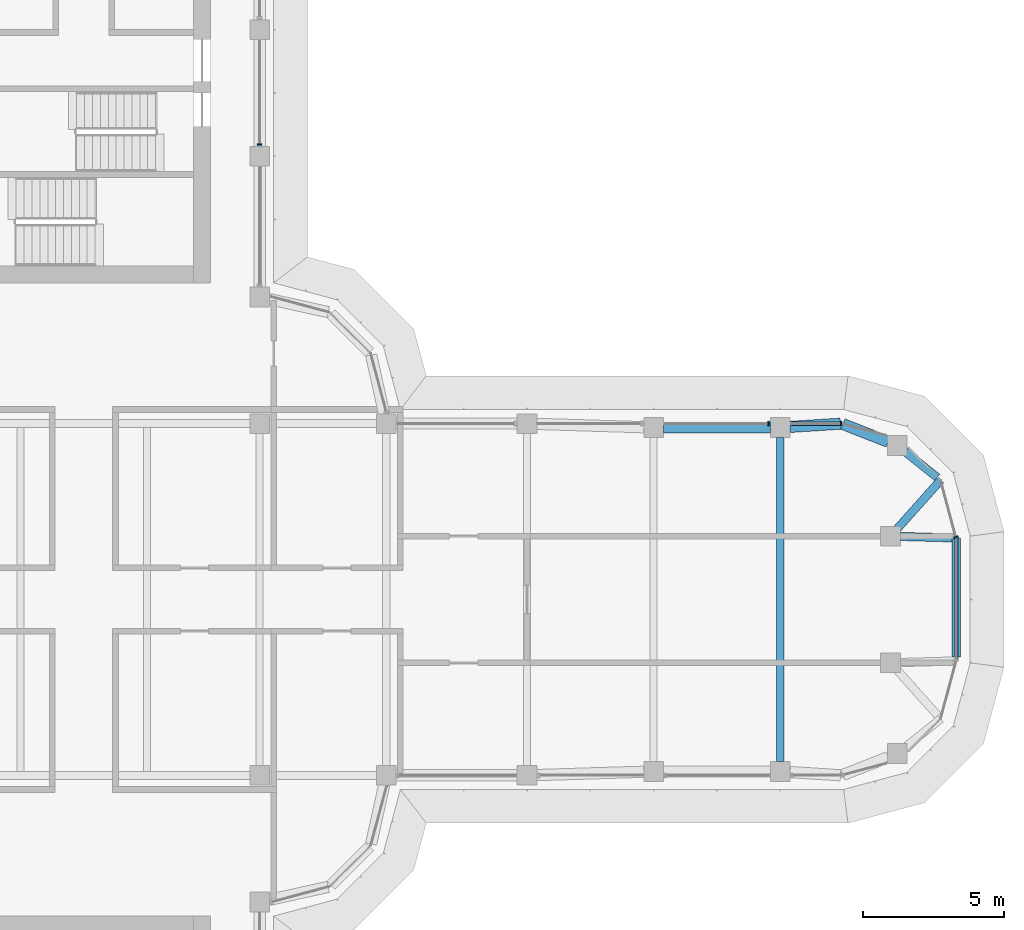
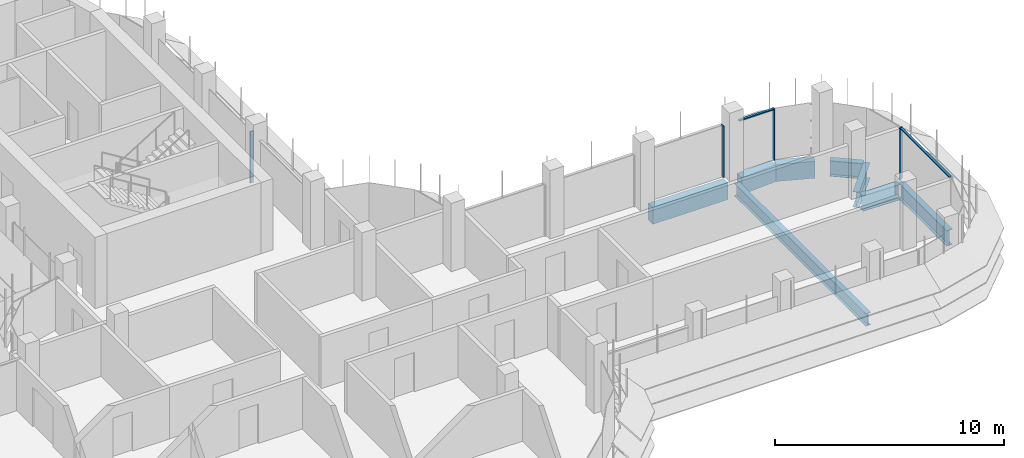
# One storey, part 9 of 19: 8 beams, 6 members, 4 elements without a shape of their own.
"""IFC4 building model written with IfcOpenShell, lengths in metres."""

from ifc_helpers import new_model, si_unit, direction, frame, origin, origin_2d, place, context, subcontext, project, spatial, polyline, rectangle, i_section, outline, extrude, source, transform, mapped, material, material_profile, profile_set, type_object, element, aggregate, save


model = new_model("IFC4")

# Units and contexts
model_context = context("Model", 3, precision=1e-05, world=origin(), true_north=direction((0.0, 1.0)))
body_context = subcontext(model_context, "Body", "Model", "MODEL_VIEW")
ifc_project = project(units=[si_unit("LENGTHUNIT", "METRE"), si_unit("AREAUNIT", "SQUARE_METRE"), si_unit("VOLUMEUNIT", "CUBIC_METRE"), si_unit("PLANEANGLEUNIT", "RADIAN"), si_unit("MASSUNIT", "GRAM", prefix="KILO")], contexts=[model_context])

# Site, building, storey
site_placement = place(None, origin())
site = spatial("IfcSite", under=ifc_project, at=site_placement, CompositionType="ELEMENT")
building_placement = place(site_placement, origin())
building = spatial("IfcBuilding", under=site, at=building_placement, Name="Zarbagh Exchange Tower", CompositionType="ELEMENT")
storey_placement = place(building_placement, frame((0.0, 0.0, 237.199951171875)))
storey = spatial("IfcBuildingStorey", under=building, at=storey_placement, Name="L58", CompositionType="ELEMENT", Elevation=237.199951171875)

# Beams
ifc_material_1 = material(Name="Steel ASTM A992 Gr 50", Category="steel")
ifc_material_profile_1 = material_profile(ifc_material_1, i_section(OverallWidth=0.25390625, OverallDepth=0.67822265625, WebThickness=0.01171875, FlangeThickness=0.016357421875, at=origin_2d()), Name="W27X84")
ifc_profile_set_1 = profile_set([ifc_material_profile_1], Name="Steel ASTM A992 Gr 50")
beam_type_1 = type_object("IfcBeamType", Name="Floor beam W27X84", PredefinedType="BEAM", material=ifc_profile_set_1)
beam_1_placement = place(storey_placement, frame((24.75, -5.760009765625, -0.489013671875), z_axis=(0.0, 1.0, 0.0), x_axis=(-1.0, 0.0, 0.0)))
element("IfcBeam", 1, at=beam_1_placement, inside=storey, type_object=beam_type_1, Name="Steel floor beam", PredefinedType="BEAM", context=body_context, shape_type="SweptSolid", body=[
    extrude(i_section(OverallWidth=0.25390625, OverallDepth=0.67822265625, WebThickness=0.01171875, FlangeThickness=0.016357421875, at=origin_2d()), origin(), (0.0, 0.0, 1.0), 11.52001953125),
])
ifc_material_profile_2 = material_profile(ifc_material_1, i_section(OverallWidth=0.2919921875, OverallDepth=0.835693359375, WebThickness=0.013916015625, FlangeThickness=0.018798828125, at=origin_2d()), Name="W33X118")
ifc_profile_set_2 = profile_set([ifc_material_profile_2], Name="Steel ASTM A992 Gr 50")
beam_type_2 = type_object("IfcBeamType", Name="Floor girder W33X118", PredefinedType="BEAM", material=ifc_profile_set_2)
beam_2_placement = place(storey_placement, frame((29.18115234375, 5.256103515625, -0.56787109375), z_axis=(0.780625690962, -0.624998824487, 0.0), x_axis=(0.624998824487, 0.780625690962, 0.0)))
element("IfcBeam", 2, at=beam_2_placement, inside=storey, type_object=beam_type_2, Name="Steel girder", PredefinedType="BEAM", context=body_context, shape_type="SweptSolid", body=[
    extrude(i_section(OverallWidth=0.2919921875, OverallDepth=0.835693359375, WebThickness=0.013916015625, FlangeThickness=0.018798828125, at=origin_2d()), origin(), (0.0, 0.0, 1.0), 1.469970703125),
])
beam_3_placement = place(storey_placement, frame((30.44873046875, 4.2412109375, -0.56787109375), z_axis=(-0.66615169279, -0.745816279115, 0.0), x_axis=(0.745816279115, -0.66615169279, 0.0)))
element("IfcBeam", 3, at=beam_3_placement, inside=storey, type_object=beam_type_2, Name="Steel girder", PredefinedType="BEAM", context=body_context, shape_type="SweptSolid", body=[
    extrude(i_section(OverallWidth=0.2919921875, OverallDepth=0.835693359375, WebThickness=0.013916015625, FlangeThickness=0.018798828125, at=origin_2d()), origin(), (0.0, 0.0, 1.0), 2.31982421875),
])
beam_4_placement = place(storey_placement, frame((29.02001953125, 2.239990234375, -0.56787109375), z_axis=(0.999603805015, -0.028146633904, 0.0), x_axis=(0.028146633904, 0.999603805015, 0.0)))
element("IfcBeam", 4, at=beam_4_placement, inside=storey, type_object=beam_type_2, Name="Steel girder", PredefinedType="BEAM", context=body_context, shape_type="SweptSolid", body=[
    extrude(i_section(OverallWidth=0.2919921875, OverallDepth=0.835693359375, WebThickness=0.013916015625, FlangeThickness=0.018798828125, at=origin_2d()), origin(), (0.0, 0.0, 1.0), 1.8388671875),
])
beam_5_placement = place(storey_placement, frame((31.0, 2.18408203125, -0.56787109375), z_axis=(0.0, -1.0, 0.0), x_axis=(1.0, 0.0, 0.0)))
element("IfcBeam", 5, at=beam_5_placement, inside=storey, type_object=beam_type_2, Name="Steel girder", PredefinedType="BEAM", context=body_context, shape_type="SweptSolid", body=[
    extrude(i_section(OverallWidth=0.2919921875, OverallDepth=0.835693359375, WebThickness=0.013916015625, FlangeThickness=0.018798828125, at=origin_2d()), origin(), (0.0, 0.0, 1.0), 4.226318359375),
])
ifc_material_2 = material(Name="Concrete C50/60", Category="concrete")
ifc_material_profile_3 = material_profile(ifc_material_2, rectangle(XDim=0.39990234375, YDim=0.89990234375, at=origin_2d()), Name="RC spandrel beam 400 x 900 C50/60")
ifc_profile_set_3 = profile_set([ifc_material_profile_3], Name="Concrete C50/60")
beam_type_3 = type_object("IfcBeamType", Name="RC spandrel beam 400 x 900 C50/60", PredefinedType="SPANDREL", material=ifc_profile_set_3)
beam_6_placement = place(storey_placement, frame((20.60009765625, 6.110107421875, -0.599853515625), z_axis=(1.0, 0.0, 0.0), x_axis=(0.0, 1.0, 0.0)))
element("IfcBeam", 6, at=beam_6_placement, inside=storey, type_object=beam_type_3, Name="RC spandrel beam", PredefinedType="SPANDREL", context=body_context, shape_type="SweptSolid", body=[
    extrude(rectangle(XDim=0.39990234375, YDim=0.89990234375, at=origin_2d()), origin(), (0.0, 0.0, 1.0), 3.7998046875),
])
beam_7_placement = place(storey_placement, frame((25.099365234375, 6.13232421875, -0.599853515625), z_axis=(0.997943601797, 0.064098109429, 0.0), x_axis=(-0.064098109429, 0.997943601797, 0.0)))
element("IfcBeam", 7, at=beam_7_placement, inside=storey, type_object=beam_type_3, Name="RC spandrel beam", PredefinedType="SPANDREL", context=body_context, shape_type="SweptSolid", body=[
    extrude(rectangle(XDim=0.39990234375, YDim=0.89990234375, at=origin_2d()), origin(), (0.0, 0.0, 1.0), 1.7939453125),
])
beam_8_placement = place(storey_placement, frame((26.9755859375, 6.233642578125, -0.599853515625), z_axis=(0.930818525178, -0.365481700207, 0.0), x_axis=(0.365481700207, 0.930818525178, 0.0)))
element("IfcBeam", 8, at=beam_8_placement, inside=storey, type_object=beam_type_3, Name="RC spandrel beam", PredefinedType="SPANDREL", context=body_context, shape_type="SweptSolid", body=[
    extrude(rectangle(XDim=0.39990234375, YDim=0.89990234375, at=origin_2d()), origin(), (0.0, 0.0, 1.0), 1.72607421875),
])

# Curtain wall, member
ifc_material_3 = material(Name="Anodised aluminium frame and glazing", Category="aluminium")
curtain_wall_type = type_object("IfcCurtainWallType", Name="CWB Ribbon glazing, upper zones", PredefinedType="NOTDEFINED", material=ifc_material_3)
curtain_wall_1_placement = place(storey_placement, origin())
curtain_wall_1 = element("IfcCurtainWall", 9, at=curtain_wall_1_placement, inside=storey, type_object=curtain_wall_type, Name="CWB13 curtain wall", PredefinedType="NOTDEFINED")
ifc_material_4 = material(Name="Anodised aluminium frame", Category="aluminium")
member_type_1 = type_object("IfcMemberType", Name="MUB Mullion, anodised aluminium frame", PredefinedType="MULLION", material=ifc_material_4)
shared_shape_1 = source(origin(), body_context, "Body", "SweptSolid", [
    extrude(outline(polyline([(0.0, -0.080078125), (0.06005859375, -0.080078125), (0.06005859375, 0.080078125), (0.0, 0.080078125), (0.0, -0.080078125)])), origin(), (0.0, 0.0, 1.0), 2.75),
])
placement = place(storey_placement, origin())
member_1 = element("IfcMember", 10, at=placement, type_object=member_type_1, Name="CWB13 mullion 1.1", PredefinedType="MULLION", context=body_context, shape_type="MappedRepresentation", body=[
    mapped(shared_shape_1, transform((31.0, 2.18408203125, 0.0), x_axis=(-0.258824779902, 0.965924289636, 0.0), y_axis=(-0.965924289636, -0.258824779902, 0.0), z_axis=(0.0, 0.0, 1.0))),
])
aggregate(curtain_wall_1, [member_1])

# Curtain wall, members
curtain_wall_2_placement = place(storey_placement, origin())
curtain_wall_2 = element("IfcCurtainWall", 11, at=curtain_wall_2_placement, inside=storey, type_object=curtain_wall_type, Name="CWB16 curtain wall", PredefinedType="NOTDEFINED")
member_2 = element("IfcMember", 12, at=placement, type_object=member_type_1, Name="CWB16 mullion 1.1", PredefinedType="MULLION", context=body_context, shape_type="MappedRepresentation", body=[
    mapped(shared_shape_1, transform((26.93408203125, 6.25, 0.0), x_axis=(-1.0, 0.0, 0.0), y_axis=(0.0, -1.0, 0.0), z_axis=(0.0, 0.0, 1.0))),
])
member_3 = element("IfcMember", 13, at=placement, type_object=member_type_1, Name="CWB16 mullion 2.1", PredefinedType="MULLION", context=body_context, shape_type="MappedRepresentation", body=[
    mapped(shared_shape_1, transform((24.35986328125, 6.25, 0.0), x_axis=(-1.0, 0.0, 0.0), y_axis=(0.0, -1.0, 0.0), z_axis=(0.0, 0.0, 1.0))),
])

# Curtain wall, member
curtain_wall_3_placement = place(storey_placement, origin())
curtain_wall_3 = element("IfcCurtainWall", 14, at=curtain_wall_3_placement, inside=storey, type_object=curtain_wall_type, Name="CWB67 curtain wall", PredefinedType="NOTDEFINED")
member_4 = element("IfcMember", 15, at=placement, type_object=member_type_1, Name="CWB67 mullion 2.1", PredefinedType="MULLION", context=body_context, shape_type="MappedRepresentation", body=[
    mapped(shared_shape_1, transform((6.25, 16.14013671875, 0.0), x_axis=(0.0, 1.0, 0.0), y_axis=(-1.0, 0.0, 0.0), z_axis=(0.0, 0.0, 1.0))),
])
aggregate(curtain_wall_3, [member_4])

# Member
member_type_2 = type_object("IfcMemberType", Name="TRB Transom, anodised aluminium frame", PredefinedType="USERDEFINED", material=ifc_material_4)
shared_shape_2 = source(origin(), body_context, "Body", "SweptSolid", [
    extrude(outline(polyline([(-0.06005859375, -0.06005859375), (0.0, -0.06005859375), (0.0, 0.06005859375), (-0.06005859375, 0.06005859375), (-0.06005859375, -0.06005859375)])), origin(), (0.0, 0.0, 1.0), 1.734130859375),
])
member_5 = element("IfcMember", 16, at=placement, type_object=member_type_2, Name="CWB16 transom 1.1", ObjectType="TRANSOM", PredefinedType="USERDEFINED", context=body_context, shape_type="MappedRepresentation", body=[
    mapped(shared_shape_2, transform((26.874267578125, 6.25, 2.75), x_axis=(0.0, 0.0, 1.0), y_axis=(0.0, 1.0, 0.0), z_axis=(-1.0, 0.0, 0.0))),
])

aggregate(curtain_wall_2, [member_2, member_5, member_3])

# Curtain wall, member
curtain_wall_4_placement = place(storey_placement, origin())
curtain_wall_4 = element("IfcCurtainWall", 17, at=curtain_wall_4_placement, inside=storey, type_object=curtain_wall_type, Name="CWB12 curtain wall", PredefinedType="NOTDEFINED")
shared_shape_3 = source(origin(), body_context, "Body", "SweptSolid", [
    extrude(outline(polyline([(-0.06005859375, -0.06005859375), (0.0, -0.06005859375), (0.0, 0.06005859375), (-0.06005859375, 0.06005859375), (-0.06005859375, -0.06005859375)])), origin(), (0.0, 0.0, 1.0), 4.308349609375),
])
member_6 = element("IfcMember", 18, at=placement, type_object=member_type_2, Name="CWB12 transom 1.1", ObjectType="TRANSOM", PredefinedType="USERDEFINED", context=body_context, shape_type="MappedRepresentation", body=[
    mapped(shared_shape_3, transform((31.0, -2.124267578125, 2.75), x_axis=(0.0, 0.0, 1.0), y_axis=(1.0, 0.0, 0.0), z_axis=(0.0, 1.0, 0.0))),
])
aggregate(curtain_wall_4, [member_6])

save(model, "model.ifc")
